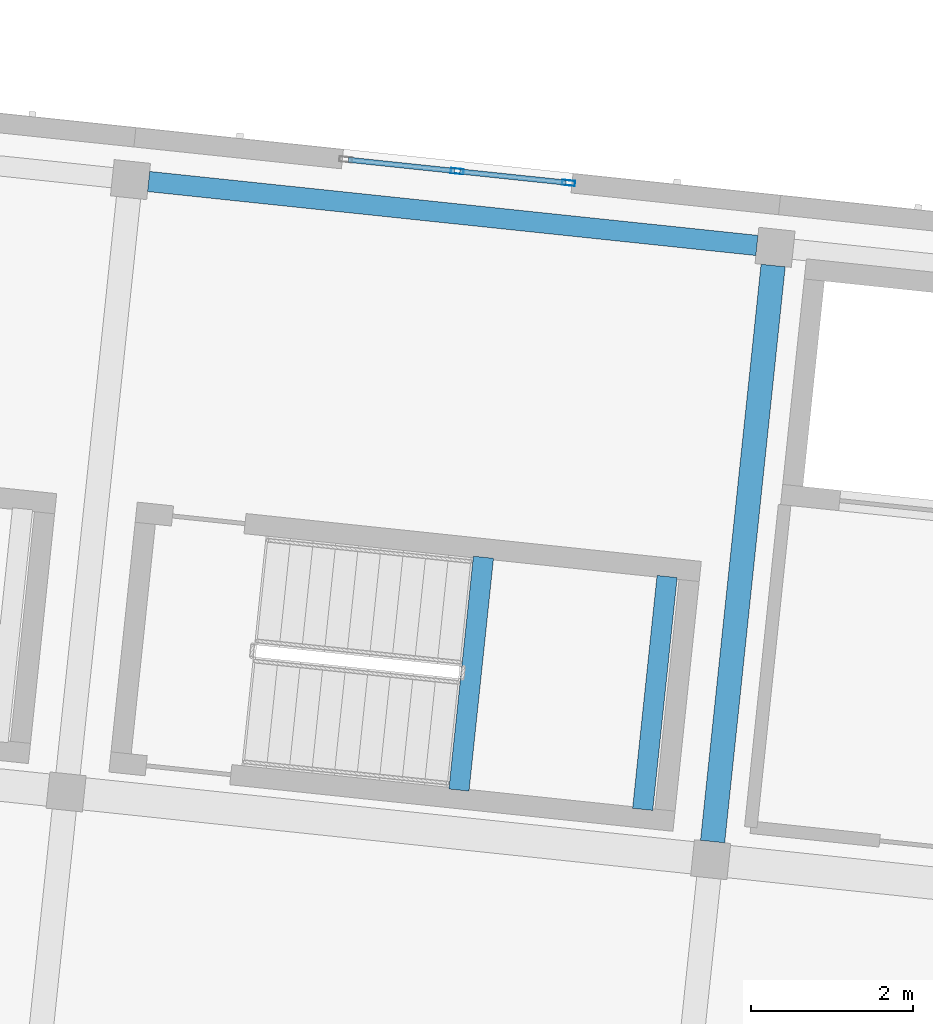
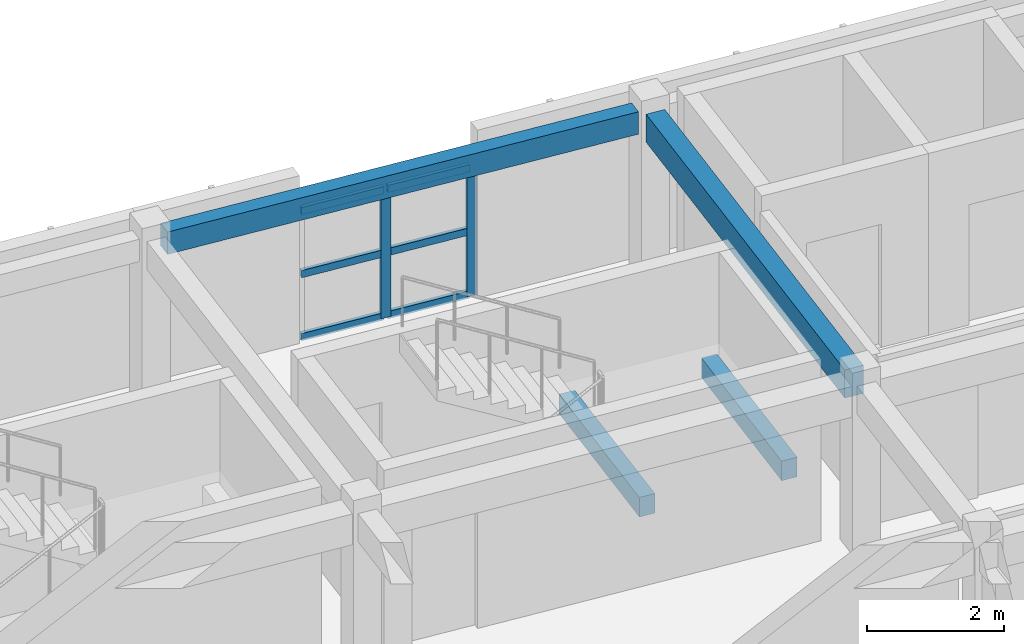
# One storey, part 13 of 45: 8 members, 4 beams, 1 element without a shape of its own.
"""IFC4 building model written with IfcOpenShell, lengths in metres."""

from ifc_helpers import new_model, si_unit, direction, frame, origin, origin_2d, place, context, subcontext, project, spatial, rectangle, hollow_rectangle, extrude, material, material_profile, profile_set, type_object, element, aggregate, save


model = new_model("IFC4")

# Units and contexts
model_context = context("Model", 3, precision=1e-05, world=origin(), true_north=direction((0.0, 1.0)))
body_context = subcontext(model_context, "Body", "Model", "MODEL_VIEW")
ifc_project = project(units=[si_unit("LENGTHUNIT", "METRE"), si_unit("AREAUNIT", "SQUARE_METRE"), si_unit("VOLUMEUNIT", "CUBIC_METRE"), si_unit("PLANEANGLEUNIT", "RADIAN"), si_unit("MASSUNIT", "GRAM", prefix="KILO")], contexts=[model_context])

# Site, building, storey
site_placement = place(None, origin())
site = spatial("IfcSite", under=ifc_project, at=site_placement, CompositionType="ELEMENT")
building_placement = place(site_placement, origin())
building = spatial("IfcBuilding", under=site, at=building_placement, Name="Kestramere Prow Commons", CompositionType="ELEMENT")
storey_placement = place(building_placement, frame((0.0, 0.0, 31.14990234375)))
storey = spatial("IfcBuildingStorey", under=building, at=storey_placement, Name="L09", CompositionType="ELEMENT", Elevation=31.14990234375)

# Beams
ifc_material_1 = material(Name="Concrete C40/50", Category="concrete")
ifc_material_profile_1 = material_profile(ifc_material_1, rectangle(XDim=0.25, YDim=0.35009765625, at=origin_2d()), Name="PC-BM 250x350")
ifc_profile_set_1 = profile_set([ifc_material_profile_1], Name="Concrete C40/50")
beam_type_1 = type_object("IfcBeamType", Name="BM-ST-TRIM", PredefinedType="BEAM", material=ifc_profile_set_1)
for number, where, z_axis, x_axis, name in (
    (1, (147.927978515625, 103.41259765625, 1.25), (0.104579248847, 0.994516556278, 0.0), (-0.994516556278, 0.104579248847, 0.0), "ST-B2 L09 Landing Trimmer Beam 1A"),
    (2, (150.195556640625, 103.17431640625, 1.25), (0.104495697268, 0.994525338668, 0.0), (-0.994525338668, 0.104495697268, 0.0), "ST-B2 L09 Landing Trimmer Beam 1B"),
):
    element("IfcBeam", number, at=place(storey_placement, frame(where, z_axis=z_axis, x_axis=x_axis)), inside=storey, type_object=beam_type_1, Name=name, PredefinedType="BEAM", context=body_context, shape_type="SweptSolid", body=[
        extrude(rectangle(XDim=0.25, YDim=0.35009765625, at=origin_2d()), origin(), (0.0, 0.0, 1.0), 2.89013671875),
    ])
ifc_material_2 = material(Name="Precast concrete C40/50", Category="concrete")
ifc_material_profile_2 = material_profile(ifc_material_2, rectangle(XDim=0.300048828125, YDim=0.5, at=origin_2d()), Name="PC-BM 300x500")
ifc_profile_set_2 = profile_set([ifc_material_profile_2], Name="Precast concrete C40/50")
beam_type_2 = type_object("IfcBeamType", Name="BM-TIE-01 PC-BM 300x500", PredefinedType="BEAM", material=ifc_profile_set_2)
beam_1_placement = place(storey_placement, frame((151.058837890625, 102.77685546875, 2.75), z_axis=(0.104519481265, 0.994522839374, 0.0), x_axis=(-0.994522839374, 0.104519481265, 0.0)))
element("IfcBeam", 3, at=beam_1_placement, inside=storey, type_object=beam_type_2, Name="Block B L09 Transverse Beam 6-3", PredefinedType="BEAM", context=body_context, shape_type="SweptSolid", body=[
    extrude(rectangle(XDim=0.300048828125, YDim=0.5, at=origin_2d()), origin(), (0.0, 0.0, 1.0), 7.14990234375),
])

# Curtain wall, members
ifc_material_3 = material(Name="Anodised Aluminium and Low-E Glass", Category="aluminium")
curtain_wall_type = type_object("IfcCurtainWallType", Name="CW-03 Glazed Curtain Wall 2830x2320", PredefinedType="USERDEFINED", material=ifc_material_3)
curtain_wall_placement = place(storey_placement, origin())
curtain_wall = element("IfcCurtainWall", 4, at=curtain_wall_placement, inside=storey, type_object=curtain_wall_type, Name="Block B L09 Stairwell Vertical Glazing 5", ObjectType="GLAZED CURTAIN WALL", PredefinedType="USERDEFINED")
ifc_material_4 = material(Name="Anodised Aluminium 6063-T6", Category="aluminium")
ifc_material_profile_3 = material_profile(ifc_material_4, hollow_rectangle(XDim=0.06494140625, YDim=0.159912109375, WallThickness=0.00390625, at=origin_2d()), Name="ALU-MUL 65x160")
ifc_profile_set_3 = profile_set([ifc_material_profile_3], Name="Anodised Aluminium 6063-T6")
member_type_1 = type_object("IfcMemberType", Name="CW-MUL-65x160", PredefinedType="MULLION", material=ifc_profile_set_3)
member_1_placement = place(storey_placement, frame((147.906494140625, 111.0517578125, 0.0), z_axis=(0.0, 0.0, 1.0), x_axis=(0.104528269348, 0.99452191575, 0.0)))
member_1 = element("IfcMember", 5, at=member_1_placement, type_object=member_type_1, Name="CW-03 mullion 2", PredefinedType="MULLION", context=body_context, shape_type="SweptSolid", body=[
    extrude(hollow_rectangle(XDim=0.06494140625, YDim=0.159912109375, WallThickness=0.00390625, at=origin_2d()), origin(), (0.0, 0.0, 1.0), 2.320068359375),
])
member_2_placement = place(storey_placement, frame((149.28125, 110.9072265625, 0.0), z_axis=(0.0, 0.0, 1.0), x_axis=(0.104528269348, 0.99452191575, 0.0)))
member_2 = element("IfcMember", 6, at=member_2_placement, type_object=member_type_1, Name="CW-03 mullion 3", PredefinedType="MULLION", context=body_context, shape_type="SweptSolid", body=[
    extrude(hollow_rectangle(XDim=0.06494140625, YDim=0.159912109375, WallThickness=0.00390625, at=origin_2d()), origin(), (0.0, 0.0, 1.0), 2.320068359375),
])
ifc_material_profile_4 = material_profile(ifc_material_4, hollow_rectangle(XDim=0.06494140625, YDim=0.1298828125, WallThickness=0.00390625, at=origin_2d()), Name="ALU-TRN 65x130")
ifc_profile_set_4 = profile_set([ifc_material_profile_4], Name="Anodised Aluminium 6063-T6")
member_type_2 = type_object("IfcMemberType", Name="CW-TRN-65x130", PredefinedType="USERDEFINED", material=ifc_profile_set_4)
member_3_placement = place(storey_placement, frame((146.563720703125, 111.19287109375, 0.03271484375), z_axis=(0.994523714271, -0.104511156111, 0.0), x_axis=(0.104511156111, 0.994523714271, 0.0)))
member_3 = element("IfcMember", 7, at=member_3_placement, type_object=member_type_2, Name="CW-03 transom 1.1", ObjectType="TRANSOM", PredefinedType="USERDEFINED", context=body_context, shape_type="SweptSolid", body=[
    extrude(hollow_rectangle(XDim=0.06494140625, YDim=0.1298828125, WallThickness=0.00390625, at=origin_2d()), origin(), (0.0, 0.0, 1.0), 1.317626953125),
])
member_4_placement = place(storey_placement, frame((146.563720703125, 111.19287109375, 1.16015625), z_axis=(0.994523714271, -0.104511156111, 0.0), x_axis=(0.104511156111, 0.994523714271, 0.0)))
member_4 = element("IfcMember", 8, at=member_4_placement, type_object=member_type_2, Name="CW-03 transom 1.2", ObjectType="TRANSOM", PredefinedType="USERDEFINED", context=body_context, shape_type="SweptSolid", body=[
    extrude(hollow_rectangle(XDim=0.06494140625, YDim=0.1298828125, WallThickness=0.00390625, at=origin_2d()), origin(), (0.0, 0.0, 1.0), 1.317626953125),
])
member_5_placement = place(storey_placement, frame((146.563720703125, 111.19287109375, 2.28759765625), z_axis=(0.994523714271, -0.104511156111, 0.0), x_axis=(0.104511156111, 0.994523714271, 0.0)))
member_5 = element("IfcMember", 9, at=member_5_placement, type_object=member_type_2, Name="CW-03 transom 1.3", ObjectType="TRANSOM", PredefinedType="USERDEFINED", context=body_context, shape_type="SweptSolid", body=[
    extrude(hollow_rectangle(XDim=0.06494140625, YDim=0.1298828125, WallThickness=0.00390625, at=origin_2d()), origin(), (0.0, 0.0, 1.0), 1.317626953125),
])
member_6_placement = place(storey_placement, frame((147.938720703125, 111.04833984375, 0.03271484375), z_axis=(0.994523714271, -0.104511156111, 0.0), x_axis=(0.104511156111, 0.994523714271, 0.0)))
member_6 = element("IfcMember", 10, at=member_6_placement, type_object=member_type_2, Name="CW-03 transom 2.1", ObjectType="TRANSOM", PredefinedType="USERDEFINED", context=body_context, shape_type="SweptSolid", body=[
    extrude(hollow_rectangle(XDim=0.06494140625, YDim=0.1298828125, WallThickness=0.00390625, at=origin_2d()), origin(), (0.0, 0.0, 1.0), 1.317626953125),
])
member_7_placement = place(storey_placement, frame((147.938720703125, 111.04833984375, 1.16015625), z_axis=(0.994523714271, -0.104511156111, 0.0), x_axis=(0.104511156111, 0.994523714271, 0.0)))
member_7 = element("IfcMember", 11, at=member_7_placement, type_object=member_type_2, Name="CW-03 transom 2.2", ObjectType="TRANSOM", PredefinedType="USERDEFINED", context=body_context, shape_type="SweptSolid", body=[
    extrude(hollow_rectangle(XDim=0.06494140625, YDim=0.1298828125, WallThickness=0.00390625, at=origin_2d()), origin(), (0.0, 0.0, 1.0), 1.317626953125),
])
member_8_placement = place(storey_placement, frame((147.938720703125, 111.04833984375, 2.28759765625), z_axis=(0.994523714271, -0.104511156111, 0.0), x_axis=(0.104511156111, 0.994523714271, 0.0)))
member_8 = element("IfcMember", 12, at=member_8_placement, type_object=member_type_2, Name="CW-03 transom 2.3", ObjectType="TRANSOM", PredefinedType="USERDEFINED", context=body_context, shape_type="SweptSolid", body=[
    extrude(hollow_rectangle(XDim=0.06494140625, YDim=0.1298828125, WallThickness=0.00390625, at=origin_2d()), origin(), (0.0, 0.0, 1.0), 1.317626953125),
])
aggregate(curtain_wall, [member_1, member_2, member_3, member_4, member_5, member_6, member_7, member_8])

# Beam
ifc_material_profile_5 = material_profile(ifc_material_2, rectangle(XDim=0.25, YDim=0.39990234375, at=origin_2d()), Name="PC-SP 250x400")
ifc_profile_set_5 = profile_set([ifc_material_profile_5], Name="Precast concrete C40/50")
beam_type_3 = type_object("IfcBeamType", Name="SP-EXT-01 PC-SP 250x400", PredefinedType="SPANDREL", material=ifc_profile_set_5)
beam_2_placement = place(storey_placement, frame((144.09716796875, 110.92431640625, 2.800048828125), z_axis=(0.994520503149, -0.104541708502, 0.0), x_axis=(0.104541708502, 0.994520503149, 0.0)))
element("IfcBeam", 13, at=beam_2_placement, inside=storey, type_object=beam_type_3, Name="Block B L09 Longitudinal Beam 4-5", PredefinedType="SPANDREL", context=body_context, shape_type="SweptSolid", body=[
    extrude(rectangle(XDim=0.25, YDim=0.39990234375, at=origin_2d()), origin(), (0.0, 0.0, 1.0), 7.550048828125),
])

save(model, "model.ifc")
